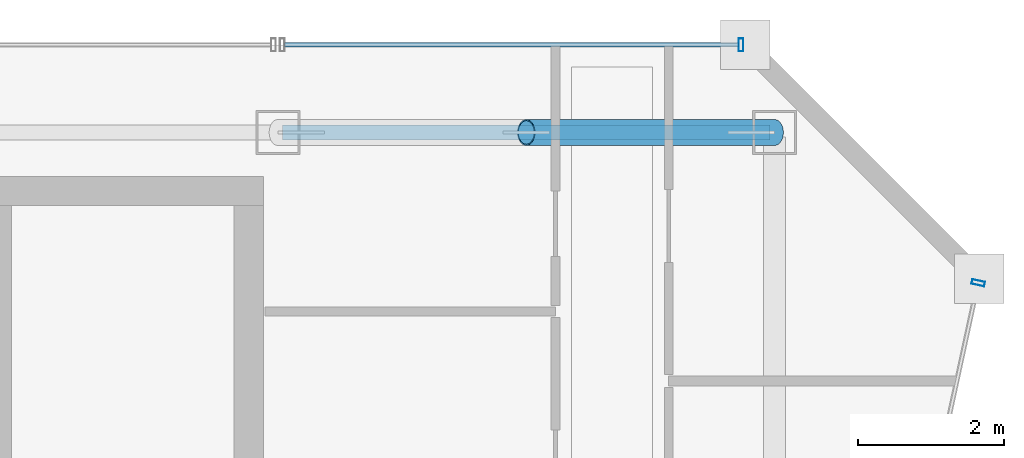
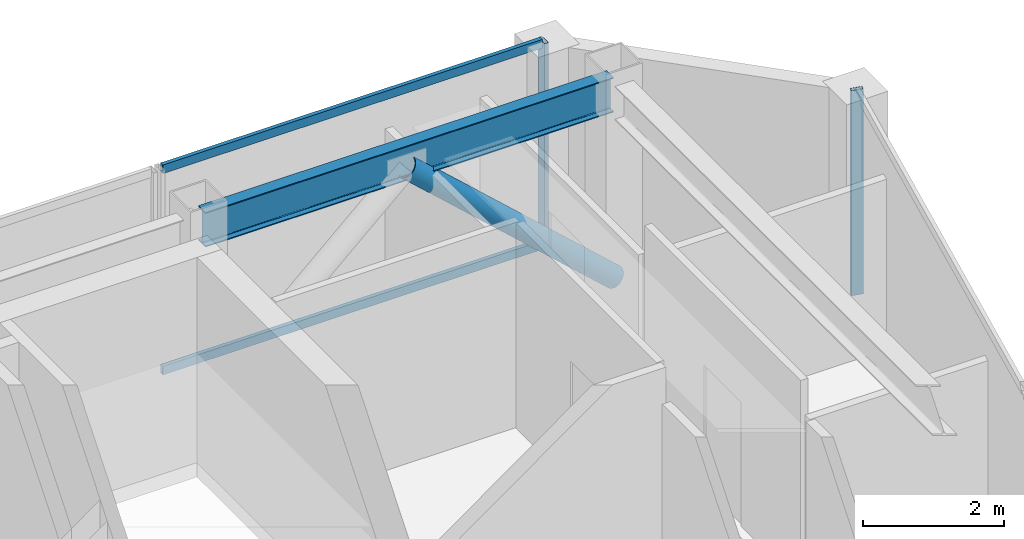
# One storey, part 9 of 17: 5 members, 1 beam, 2 elements without a shape of their own.
"""IFC4 building model written with IfcOpenShell, lengths in metres."""

from ifc_helpers import new_model, si_unit, direction, frame, origin, origin_2d, place, context, subcontext, project, spatial, hollow_rectangle, hollow_circle, i_section, extrude, material, material_profile, profile_set, type_object, element, aggregate, save


model = new_model("IFC4")

# Units and contexts
model_context = context("Model", 3, precision=1e-05, world=origin(), true_north=direction((0.0, 1.0)))
body_context = subcontext(model_context, "Body", "Model", "MODEL_VIEW")
ifc_project = project(units=[si_unit("LENGTHUNIT", "METRE"), si_unit("AREAUNIT", "SQUARE_METRE"), si_unit("VOLUMEUNIT", "CUBIC_METRE"), si_unit("PLANEANGLEUNIT", "RADIAN"), si_unit("MASSUNIT", "GRAM", prefix="KILO")], contexts=[model_context])

# Site, building, storey
site_placement = place(None, origin())
site = spatial("IfcSite", under=ifc_project, at=site_placement, CompositionType="ELEMENT")
building_placement = place(site_placement, origin())
building = spatial("IfcBuilding", under=site, at=building_placement, Name="Saevonmaru Cultural Tower", CompositionType="ELEMENT")
storey_placement = place(building_placement, frame((0.0, 0.0, 310.39990234375)))
storey = spatial("IfcBuildingStorey", under=building, at=storey_placement, Name="L74", CompositionType="ELEMENT", Elevation=310.39990234375)

# Beam
ifc_material_1 = material(Name="Steel SM355", Category="steel")
ifc_material_profile_1 = material_profile(ifc_material_1, i_section(OverallWidth=0.199951171875, OverallDepth=0.60009765625, WebThickness=0.010986328125, FlangeThickness=0.01708984375, FilletRadius=0.02197265625, at=origin_2d()), Name="H-600x200x11x17")
ifc_profile_set_1 = profile_set([ifc_material_profile_1], Name="Steel SM355")
beam_type = type_object("IfcBeamType", Name="BM-SP-H600", PredefinedType="SPANDREL", material=ifc_profile_set_1)
beam_placement = place(storey_placement, frame((46.4599609375, 54.800048828125, 3.25), z_axis=(1.0, 0.0, 0.0), x_axis=(0.0, 1.0, 0.0)))
element("IfcBeam", 1, at=beam_placement, inside=storey, type_object=beam_type, Name="L74 North Spine Girder 5", PredefinedType="SPANDREL", context=body_context, shape_type="SweptSolid", body=[
    extrude(i_section(OverallWidth=0.199951171875, OverallDepth=0.60009765625, WebThickness=0.010986328125, FlangeThickness=0.01708984375, FilletRadius=0.02197265625, at=origin_2d()), origin(), (0.0, 0.0, 1.0), 6.679931640625),
])

# Member
ifc_material_profile_2 = material_profile(ifc_material_1, hollow_circle(Radius=0.177734375, WallThickness=0.01611328125, at=origin_2d()), Name="CHS-355.6x16")
ifc_profile_set_2 = profile_set([ifc_material_profile_2], Name="Steel SM355")
member_type_1 = type_object("IfcMemberType", Name="MB-PBR-CHS356", PredefinedType="BRACE", material=ifc_profile_set_2)
member_1_placement = place(storey_placement, frame((53.199951171875, 54.800048828125, 0.02001953125), z_axis=(-0.738935641579, 0.0, 0.673776014417), x_axis=(0.0, -1.0, 0.0)))
element("IfcMember", 2, at=member_1_placement, inside=storey, type_object=member_type_1, Name="L74 Perimeter Braced-Tube Diagonal EN2", PredefinedType="BRACE", context=body_context, shape_type="SweptSolid", body=[
    extrude(hollow_circle(Radius=0.177734375, WallThickness=0.01611328125, at=origin_2d()), origin(), (0.0, 0.0, 1.0), 4.60107421875),
])

# Curtain wall, member
ifc_material_2 = material(Name="Satin Bronze Anodised Aluminium", Category="aluminium")
curtain_wall_type = type_object("IfcCurtainWallType", Name="CW-TYP-B", PredefinedType="NOTDEFINED", material=ifc_material_2)
curtain_wall_1_placement = place(storey_placement, origin())
curtain_wall_1 = element("IfcCurtainWall", 3, at=curtain_wall_1_placement, inside=storey, type_object=curtain_wall_type, Name="L74 Unitised Curtain Wall E8", PredefinedType="NOTDEFINED")
ifc_material_profile_3 = material_profile(ifc_material_2, hollow_rectangle(XDim=0.06494140625, YDim=0.179931640625, WallThickness=0.00390625, at=origin_2d()), Name="ALU-MULL-180x65x4")
ifc_profile_set_3 = profile_set([ifc_material_profile_3], Name="Satin Bronze Anodised Aluminium")
member_type_2 = type_object("IfcMemberType", Name="ML-CW-180x65", PredefinedType="MULLION", material=ifc_profile_set_3)
member_2_placement = place(storey_placement, frame((55.9873046875, 52.741455078125, 0.0), z_axis=(0.0, 0.0, 1.0), x_axis=(0.211750401587, 0.977323778196, 0.0)))
member_2 = element("IfcMember", 4, at=member_2_placement, type_object=member_type_2, Name="CW-TW-L74-E8 mullion 2", PredefinedType="MULLION", context=body_context, shape_type="SweptSolid", body=[
    extrude(hollow_rectangle(XDim=0.06494140625, YDim=0.179931640625, WallThickness=0.00390625, at=origin_2d()), origin(), (0.0, 0.0, 1.0), 3.550048828125),
])
aggregate(curtain_wall_1, [member_2])

# Curtain wall, members
curtain_wall_2_placement = place(storey_placement, origin())
curtain_wall_2 = element("IfcCurtainWall", 5, at=curtain_wall_2_placement, inside=storey, type_object=curtain_wall_type, Name="L74 East Braced Bay Spandrel Curtain Wall E10A", PredefinedType="NOTDEFINED")
member_3_placement = place(storey_placement, frame((52.739990234375, 56.0, 0.0), z_axis=(0.0, 0.0, 1.0), x_axis=(-1.0, 0.0, 0.0)))
member_3 = element("IfcMember", 6, at=member_3_placement, type_object=member_type_2, Name="CW-TW-L74-E10A mullion 1", PredefinedType="MULLION", context=body_context, shape_type="SweptSolid", body=[
    extrude(hollow_rectangle(XDim=0.06494140625, YDim=0.179931640625, WallThickness=0.00390625, at=origin_2d()), origin(), (0.0, 0.0, 1.0), 3.550048828125),
])
ifc_material_profile_4 = material_profile(ifc_material_2, hollow_rectangle(XDim=0.06494140625, YDim=0.14990234375, WallThickness=0.00390625, at=origin_2d()), Name="ALU-TRAN-150x65x4")
ifc_profile_set_4 = profile_set([ifc_material_profile_4], Name="Satin Bronze Anodised Aluminium")
member_type_3 = type_object("IfcMemberType", Name="TR-CW-150x65", PredefinedType="USERDEFINED", material=ifc_profile_set_4)
member_4_placement = place(storey_placement, frame((52.70751953125, 56.0, 0.03271484375), z_axis=(-1.0, 0.0, 0.0), x_axis=(0.0, -1.0, 0.0)))
member_4 = element("IfcMember", 7, at=member_4_placement, type_object=member_type_3, Name="CW-TW-L74-E10A transom 1.1", ObjectType="TRANSOM", PredefinedType="USERDEFINED", context=body_context, shape_type="SweptSolid", body=[
    extrude(hollow_rectangle(XDim=0.06494140625, YDim=0.14990234375, WallThickness=0.00390625, at=origin_2d()), origin(), (0.0, 0.0, 1.0), 6.215087890625),
])
member_5_placement = place(storey_placement, frame((52.70751953125, 56.0, 3.517578125), z_axis=(-1.0, 0.0, 0.0), x_axis=(0.0, -1.0, 0.0)))
member_5 = element("IfcMember", 8, at=member_5_placement, type_object=member_type_3, Name="CW-TW-L74-E10A transom 1.2", ObjectType="TRANSOM", PredefinedType="USERDEFINED", context=body_context, shape_type="SweptSolid", body=[
    extrude(hollow_rectangle(XDim=0.06494140625, YDim=0.14990234375, WallThickness=0.00390625, at=origin_2d()), origin(), (0.0, 0.0, 1.0), 6.215087890625),
])
aggregate(curtain_wall_2, [member_3, member_4, member_5])

save(model, "model.ifc")
